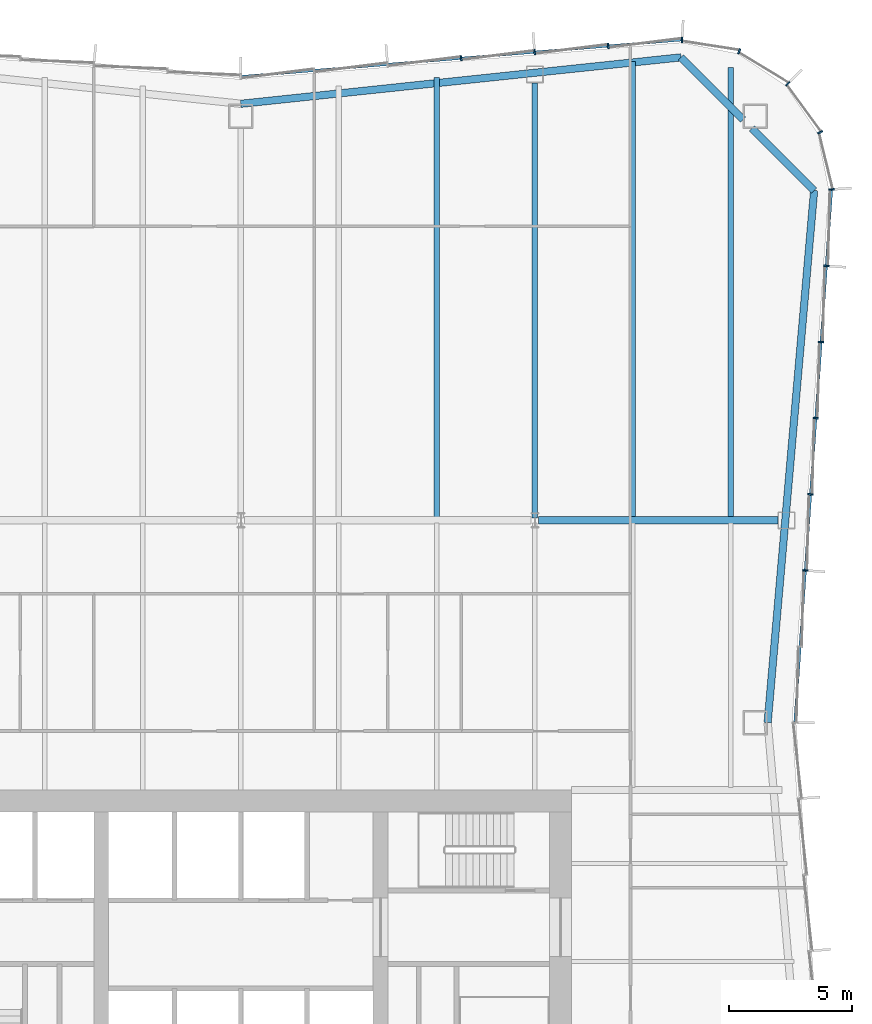
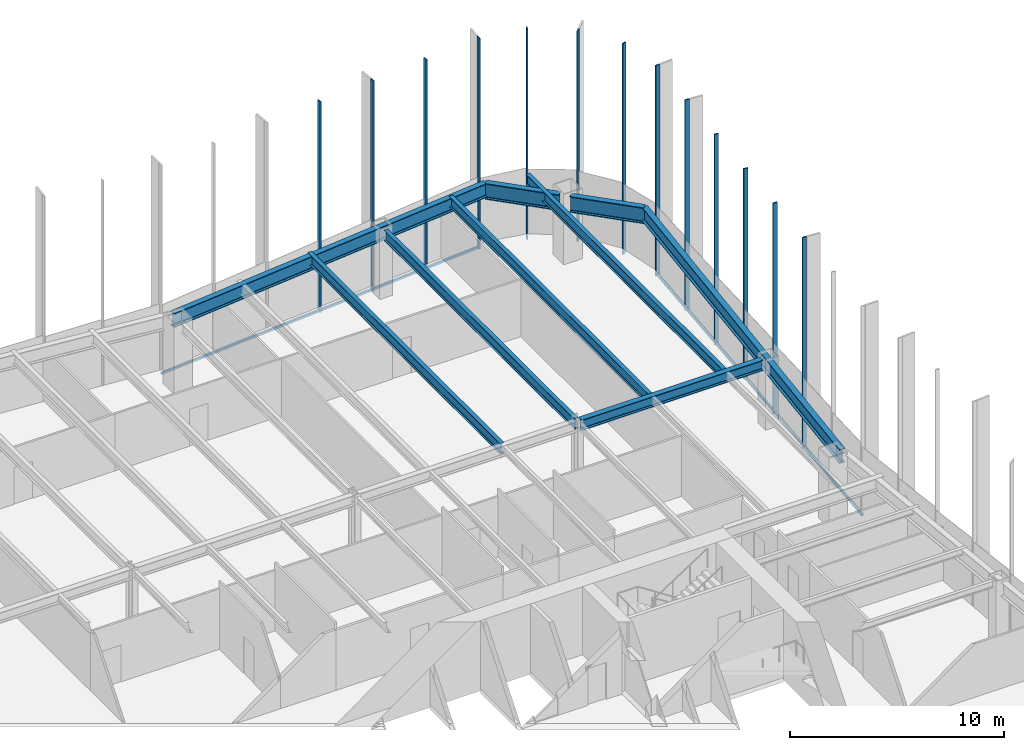
# One storey, part 7 of 13: 15 members, 9 beams, 3 elements without a shape of their own.
"""IFC4 building model written with IfcOpenShell, lengths in metres."""

from ifc_helpers import new_model, si_unit, direction, frame, origin, origin_2d, place, context, subcontext, project, spatial, rectangle, i_section, extrude, material, material_profile, profile_set, type_object, element, aggregate, save


model = new_model("IFC4")

# Units and contexts
model_context = context("Model", 3, precision=1e-05, world=origin(), true_north=direction((0.0, 1.0)))
body_context = subcontext(model_context, "Body", "Model", "MODEL_VIEW")
ifc_project = project(units=[si_unit("LENGTHUNIT", "METRE"), si_unit("AREAUNIT", "SQUARE_METRE"), si_unit("VOLUMEUNIT", "CUBIC_METRE"), si_unit("PLANEANGLEUNIT", "RADIAN"), si_unit("MASSUNIT", "GRAM", prefix="KILO")], contexts=[model_context])

# Site, building, storey
site_placement = place(None, origin())
site = spatial("IfcSite", under=ifc_project, at=site_placement, CompositionType="ELEMENT")
building_placement = place(site_placement, origin())
building = spatial("IfcBuilding", under=site, at=building_placement, Name="Verdant Reach Tower", CompositionType="ELEMENT")
storey_placement = place(building_placement, frame((0.0, 0.0, 182.0)))
storey = spatial("IfcBuildingStorey", under=building, at=storey_placement, Name="L41", CompositionType="ELEMENT", Elevation=182.0)

# Curtain wall, members
ifc_material_1 = material(Name="Anodised aluminium", Category="aluminium")
curtain_wall_type = type_object("IfcCurtainWallType", Name="EN-CW SYSTEM Z3", PredefinedType="NOTDEFINED", material=ifc_material_1)
curtain_wall_1_placement = place(storey_placement, origin())
curtain_wall_1 = element("IfcCurtainWall", 1, at=curtain_wall_1_placement, inside=storey, type_object=curtain_wall_type, Name="Curtain wall east, L41", PredefinedType="NOTDEFINED")
ifc_material_profile_1 = material_profile(ifc_material_1, rectangle(XDim=0.218017578125, YDim=0.06591796875, at=origin_2d()), Name="Mullion 66x218")
ifc_profile_set_1 = profile_set([ifc_material_profile_1], Name="Anodised aluminium")
member_type_1 = type_object("IfcMemberType", Name="EN-MULLION Z3", PredefinedType="MULLION", material=ifc_profile_set_1)
member_1_placement = place(storey_placement, frame((23.037353515625, 47.456787109375, -0.35009765625), z_axis=(0.0, 0.0, 1.0), x_axis=(0.997630328423, -0.068802091615, 0.0)))
member_1 = element("IfcMember", 2, at=member_1_placement, type_object=member_type_1, Name="Mullion east face part 2 3, L41", PredefinedType="MULLION", context=body_context, shape_type="SweptSolid", body=[
    extrude(rectangle(XDim=0.218017578125, YDim=0.06591796875, at=origin_2d()), origin(), (0.0, 0.0, 1.0), 12.0),
])
member_2_placement = place(storey_placement, frame((23.251708984375, 50.56396484375, -0.35009765625), z_axis=(0.0, 0.0, 1.0), x_axis=(0.997630328423, -0.068802091615, 0.0)))
member_2 = element("IfcMember", 3, at=member_2_placement, type_object=member_type_1, Name="Mullion east face part 2 4, L41", PredefinedType="MULLION", context=body_context, shape_type="SweptSolid", body=[
    extrude(rectangle(XDim=0.218017578125, YDim=0.06591796875, at=origin_2d()), origin(), (0.0, 0.0, 1.0), 12.0),
])
member_3_placement = place(storey_placement, frame((23.4658203125, 53.671142578125, -0.35009765625), z_axis=(0.0, 0.0, 1.0), x_axis=(0.997630328423, -0.068802091615, 0.0)))
member_3 = element("IfcMember", 4, at=member_3_placement, type_object=member_type_1, Name="Mullion east face part 2 5, L41", PredefinedType="MULLION", context=body_context, shape_type="SweptSolid", body=[
    extrude(rectangle(XDim=0.218017578125, YDim=0.06591796875, at=origin_2d()), origin(), (0.0, 0.0, 1.0), 12.0),
])
member_4_placement = place(storey_placement, frame((23.68017578125, 56.7783203125, -0.35009765625), z_axis=(0.0, 0.0, 1.0), x_axis=(0.997630328423, -0.068802091615, 0.0)))
member_4 = element("IfcMember", 5, at=member_4_placement, type_object=member_type_1, Name="Mullion east face part 2 6, L41", PredefinedType="MULLION", context=body_context, shape_type="SweptSolid", body=[
    extrude(rectangle(XDim=0.218017578125, YDim=0.06591796875, at=origin_2d()), origin(), (0.0, 0.0, 1.0), 12.0),
])
member_5_placement = place(storey_placement, frame((23.89453125, 59.88525390625, -0.35009765625), z_axis=(0.0, 0.0, 1.0), x_axis=(0.997630328423, -0.068802091615, 0.0)))
member_5 = element("IfcMember", 6, at=member_5_placement, type_object=member_type_1, Name="Mullion east face part 2 7, L41", PredefinedType="MULLION", context=body_context, shape_type="SweptSolid", body=[
    extrude(rectangle(XDim=0.218017578125, YDim=0.06591796875, at=origin_2d()), origin(), (0.0, 0.0, 1.0), 12.0),
])

curtain_wall_2_placement = place(storey_placement, origin())
curtain_wall_2 = element("IfcCurtainWall", 7, at=curtain_wall_2_placement, inside=storey, type_object=curtain_wall_type, Name="Curtain wall north-east corner, L41", PredefinedType="NOTDEFINED")
member_6_placement = place(storey_placement, frame((24.10888671875, 63.0068359375, -0.35009765625), z_axis=(0.0, 0.0, 1.0), x_axis=(0.997969180898, 0.063698618332, 0.0)))
member_6 = element("IfcMember", 8, at=member_6_placement, type_object=member_type_1, Name="Mullion north-east corner 1, L41", PredefinedType="MULLION", context=body_context, shape_type="SweptSolid", body=[
    extrude(rectangle(XDim=0.218017578125, YDim=0.06591796875, at=origin_2d()), origin(), (0.0, 0.0, 1.0), 12.0),
])
member_7_placement = place(storey_placement, frame((23.64404296875, 65.337890625, -0.35009765625), z_axis=(0.0, 0.0, 1.0), x_axis=(0.923875215753, 0.382693853776, 0.0)))
member_7 = element("IfcMember", 9, at=member_7_placement, type_object=member_type_1, Name="Mullion north-east corner 2, L41", PredefinedType="MULLION", context=body_context, shape_type="SweptSolid", body=[
    extrude(rectangle(XDim=0.218017578125, YDim=0.06591796875, at=origin_2d()), origin(), (0.0, 0.0, 1.0), 12.0),
])
member_8_placement = place(storey_placement, frame((22.319580078125, 67.319580078125, -0.35009765625), z_axis=(0.0, 0.0, 1.0), x_axis=(0.707106781187, 0.707106781187, 0.0)))
member_8 = element("IfcMember", 10, at=member_8_placement, type_object=member_type_1, Name="Mullion north-east corner 3, L41", PredefinedType="MULLION", context=body_context, shape_type="SweptSolid", body=[
    extrude(rectangle(XDim=0.218017578125, YDim=0.06591796875, at=origin_2d()), origin(), (0.0, 0.0, 1.0), 12.0),
])
member_9_placement = place(storey_placement, frame((20.337890625, 68.64404296875, -0.35009765625), z_axis=(0.0, 0.0, 1.0), x_axis=(0.382693853776, 0.923875215753, 0.0)))
member_9 = element("IfcMember", 11, at=member_9_placement, type_object=member_type_1, Name="Mullion north-east corner 4, L41", PredefinedType="MULLION", context=body_context, shape_type="SweptSolid", body=[
    extrude(rectangle(XDim=0.218017578125, YDim=0.06591796875, at=origin_2d()), origin(), (0.0, 0.0, 1.0), 12.0),
])
aggregate(curtain_wall_2, [member_6, member_7, member_8, member_9])

curtain_wall_3_placement = place(storey_placement, origin())
curtain_wall_3 = element("IfcCurtainWall", 12, at=curtain_wall_3_placement, inside=storey, type_object=curtain_wall_type, Name="Curtain wall north, L41", PredefinedType="NOTDEFINED")
member_10_placement = place(storey_placement, frame((18.006103515625, 69.10888671875, -0.35009765625), z_axis=(0.0, 0.0, 1.0), x_axis=(0.056569187765, 0.998398681387, 0.0)))
member_10 = element("IfcMember", 13, at=member_10_placement, type_object=member_type_1, Name="Mullion north face part 1 1, L41", PredefinedType="MULLION", context=body_context, shape_type="SweptSolid", body=[
    extrude(rectangle(XDim=0.218017578125, YDim=0.06591796875, at=origin_2d()), origin(), (0.0, 0.0, 1.0), 12.0),
])
member_11_placement = place(storey_placement, frame((14.990966796875, 68.858642578125, -0.35009765625), z_axis=(0.0, 0.0, 1.0), x_axis=(-0.083045479859, 0.996545758244, 0.0)))
member_11 = element("IfcMember", 14, at=member_11_placement, type_object=member_type_1, Name="Mullion north face part 1 2, L41", PredefinedType="MULLION", context=body_context, shape_type="SweptSolid", body=[
    extrude(rectangle(XDim=0.218017578125, YDim=0.06591796875, at=origin_2d()), origin(), (0.0, 0.0, 1.0), 12.0),
])
member_12_placement = place(storey_placement, frame((11.990966796875, 68.608642578125, -0.35009765625), z_axis=(0.0, 0.0, 1.0), x_axis=(-0.083045479859, 0.996545758244, 0.0)))
member_12 = element("IfcMember", 15, at=member_12_placement, type_object=member_type_1, Name="Mullion north face part 1 3, L41", PredefinedType="MULLION", context=body_context, shape_type="SweptSolid", body=[
    extrude(rectangle(XDim=0.218017578125, YDim=0.06591796875, at=origin_2d()), origin(), (0.0, 0.0, 1.0), 12.0),
])
member_13_placement = place(storey_placement, frame((8.990966796875, 68.358642578125, -0.35009765625), z_axis=(0.0, 0.0, 1.0), x_axis=(-0.083045479859, 0.996545758244, 0.0)))
member_13 = element("IfcMember", 16, at=member_13_placement, type_object=member_type_1, Name="Mullion north face part 1 4, L41", PredefinedType="MULLION", context=body_context, shape_type="SweptSolid", body=[
    extrude(rectangle(XDim=0.218017578125, YDim=0.06591796875, at=origin_2d()), origin(), (0.0, 0.0, 1.0), 12.0),
])

# Member
ifc_material_profile_2 = material_profile(ifc_material_1, rectangle(XDim=0.10009765625, YDim=0.1259765625, at=origin_2d()), Name="Transom 126x100")
ifc_profile_set_2 = profile_set([ifc_material_profile_2], Name="Anodised aluminium")
member_type_2 = type_object("IfcMemberType", Name="EN-TRANSOM Z3", PredefinedType="USERDEFINED", material=ifc_profile_set_2)
member_14_placement = place(storey_placement, frame((22.611328125, 41.282958984375, -0.287109375), z_axis=(0.068764326054, 0.997632932226, 0.0), x_axis=(-0.997632932226, 0.068764326054, 0.0)))
member_14 = element("IfcMember", 17, at=member_14_placement, type_object=member_type_2, Name="Transom east face part 2 1.1, L41", ObjectType="TRANSOM", PredefinedType="USERDEFINED", context=body_context, shape_type="SweptSolid", body=[
    extrude(rectangle(XDim=0.10009765625, YDim=0.1259765625, at=origin_2d()), origin(), (0.0, 0.0, 1.0), 21.74267578125),
])

aggregate(curtain_wall_1, [member_1, member_2, member_3, member_4, member_5, member_14])

member_15_placement = place(storey_placement, frame((17.973388671875, 69.106201171875, -0.287109375), z_axis=(-0.996548750467, -0.083009565369, 0.0), x_axis=(0.083009565369, -0.996548750467, 0.0)))
member_15 = element("IfcMember", 18, at=member_15_placement, type_object=member_type_2, Name="Transom north face part 1 1.1, L41", ObjectType="TRANSOM", PredefinedType="USERDEFINED", context=body_context, shape_type="SweptSolid", body=[
    extrude(rectangle(XDim=0.10009765625, YDim=0.1259765625, at=origin_2d()), origin(), (0.0, 0.0, 1.0), 18.00244140625),
])

aggregate(curtain_wall_3, [member_10, member_11, member_12, member_13, member_15])

# Beams
ifc_material_2 = material(Name="Steel S355", Category="steel")
ifc_material_profile_3 = material_profile(ifc_material_2, i_section(OverallWidth=0.300048828125, OverallDepth=0.60009765625, WebThickness=0.015380859375, FlangeThickness=0.030029296875, FilletRadius=0.027099609375, at=origin_2d()), Name="HEB 600")
ifc_profile_set_3 = profile_set([ifc_material_profile_3], Name="Steel S355")
beam_type_1 = type_object("IfcBeamType", Name="ST-BEAM-HEB600", PredefinedType="BEAM", material=ifc_profile_set_3)
beam_1_placement = place(storey_placement, frame((12.152587890625, 49.5, 3.570068359375), z_axis=(1.0, 0.0, 0.0), x_axis=(0.0, 1.0, 0.0)))
element("IfcBeam", 19, at=beam_1_placement, inside=storey, type_object=beam_type_1, Name="Row girder, L41", PredefinedType="BEAM", context=body_context, shape_type="SweptSolid", body=[
    extrude(i_section(OverallWidth=0.300048828125, OverallDepth=0.60009765625, WebThickness=0.015380859375, FlangeThickness=0.030029296875, FilletRadius=0.027099609375, at=origin_2d()), origin(), (0.0, 0.0, 1.0), 9.766357421875),
])
ifc_material_profile_4 = material_profile(ifc_material_2, i_section(OverallWidth=0.219970703125, OverallDepth=0.60009765625, WebThickness=0.011962890625, FlangeThickness=0.01904296875, FilletRadius=0.02392578125, at=origin_2d()), Name="IPE 600")
ifc_profile_set_4 = profile_set([ifc_material_profile_4], Name="Steel S355")
beam_type_2 = type_object("IfcBeamType", Name="ST-JOIST-IPE600", PredefinedType="JOIST", material=ifc_profile_set_4)
beam_2_placement = place(storey_placement, frame((8.0, 49.60009765625, 3.570068359375), z_axis=(0.0, 1.0, 0.0), x_axis=(-1.0, 0.0, 0.0)))
element("IfcBeam", 20, at=beam_2_placement, inside=storey, type_object=beam_type_2, Name="Floor joist, L41", PredefinedType="JOIST", context=body_context, shape_type="SweptSolid", body=[
    extrude(i_section(OverallWidth=0.219970703125, OverallDepth=0.60009765625, WebThickness=0.011962890625, FlangeThickness=0.01904296875, FilletRadius=0.02392578125, at=origin_2d()), origin(), (0.0, 0.0, 1.0), 17.964599609375),
])
beam_3_placement = place(storey_placement, frame((12.0, 49.60009765625, 3.570068359375), z_axis=(0.0, 1.0, 0.0), x_axis=(-1.0, 0.0, 0.0)))
element("IfcBeam", 21, at=beam_3_placement, inside=storey, type_object=beam_type_2, Name="Floor joist, L41", PredefinedType="JOIST", context=body_context, shape_type="SweptSolid", body=[
    extrude(i_section(OverallWidth=0.219970703125, OverallDepth=0.60009765625, WebThickness=0.011962890625, FlangeThickness=0.01904296875, FilletRadius=0.02392578125, at=origin_2d()), origin(), (0.0, 0.0, 1.0), 17.75),
])
beam_4_placement = place(storey_placement, frame((16.0, 49.60009765625, 3.570068359375), z_axis=(0.0, 1.0, 0.0), x_axis=(-1.0, 0.0, 0.0)))
element("IfcBeam", 22, at=beam_4_placement, inside=storey, type_object=beam_type_2, Name="Floor joist, L41", PredefinedType="JOIST", context=body_context, shape_type="SweptSolid", body=[
    extrude(i_section(OverallWidth=0.219970703125, OverallDepth=0.60009765625, WebThickness=0.011962890625, FlangeThickness=0.01904296875, FilletRadius=0.02392578125, at=origin_2d()), origin(), (0.0, 0.0, 1.0), 18.631103515625),
])
beam_5_placement = place(storey_placement, frame((20.0, 49.60009765625, 3.570068359375), z_axis=(0.0, 1.0, 0.0), x_axis=(-1.0, 0.0, 0.0)))
element("IfcBeam", 23, at=beam_5_placement, inside=storey, type_object=beam_type_2, Name="Floor joist, L41", PredefinedType="JOIST", context=body_context, shape_type="SweptSolid", body=[
    extrude(i_section(OverallWidth=0.219970703125, OverallDepth=0.60009765625, WebThickness=0.011962890625, FlangeThickness=0.01904296875, FilletRadius=0.02392578125, at=origin_2d()), origin(), (0.0, 0.0, 1.0), 18.390380859375),
])
ifc_material_profile_5 = material_profile(ifc_material_2, i_section(OverallWidth=0.300048828125, OverallDepth=0.800048828125, WebThickness=0.017578125, FlangeThickness=0.032958984375, FilletRadius=0.030029296875, at=origin_2d()), Name="HEB 800")
ifc_profile_set_5 = profile_set([ifc_material_profile_5], Name="Steel S355")
beam_type_3 = type_object("IfcBeamType", Name="ST-SPANDREL-HEB800", PredefinedType="SPANDREL", material=ifc_profile_set_5)
beam_6_placement = place(storey_placement, frame((0.0, 66.5, 3.469970703125), z_axis=(0.994483067002, 0.104897232783, 0.0), x_axis=(-0.104897232783, 0.994483067002, 0.0)))
element("IfcBeam", 24, at=beam_6_placement, inside=storey, type_object=beam_type_3, Name="Edge beam, L41", PredefinedType="SPANDREL", context=body_context, shape_type="SweptSolid", body=[
    extrude(i_section(OverallWidth=0.300048828125, OverallDepth=0.800048828125, WebThickness=0.017578125, FlangeThickness=0.032958984375, FilletRadius=0.030029296875, at=origin_2d()), origin(), (0.0, 0.0, 1.0), 18.0654296875),
])
beam_7_placement = place(storey_placement, frame((23.39599609375, 62.96142578125, 3.469970703125), z_axis=(-0.086996024331, -0.996208658741, 0.0), x_axis=(0.996208658741, -0.086996024331, 0.0)))
element("IfcBeam", 25, at=beam_7_placement, inside=storey, type_object=beam_type_3, Name="Edge beam, L41", PredefinedType="SPANDREL", context=body_context, shape_type="SweptSolid", body=[
    extrude(i_section(OverallWidth=0.300048828125, OverallDepth=0.800048828125, WebThickness=0.017578125, FlangeThickness=0.032958984375, FilletRadius=0.030029296875, at=origin_2d()), origin(), (0.0, 0.0, 1.0), 21.7939453125),
])
ifc_material_profile_6 = material_profile(ifc_material_2, i_section(OverallWidth=0.302001953125, OverallDepth=0.909912109375, WebThickness=0.02099609375, FlangeThickness=0.0400390625, FilletRadius=0.030029296875, at=origin_2d()), Name="HEM 900")
ifc_profile_set_6 = profile_set([ifc_material_profile_6], Name="Steel S355")
beam_type_4 = type_object("IfcBeamType", Name="ST-SPANDREL-HEM900", PredefinedType="SPANDREL", material=ifc_profile_set_6)
beam_8_placement = place(storey_placement, frame((17.9658203125, 68.39501953125, 3.4150390625), z_axis=(0.706868394255, -0.707345087777, 0.0), x_axis=(0.707345087777, 0.706868394255, 0.0)))
element("IfcBeam", 26, at=beam_8_placement, inside=storey, type_object=beam_type_4, Name="Edge beam, L41", PredefinedType="SPANDREL", context=body_context, shape_type="SweptSolid", body=[
    extrude(i_section(OverallWidth=0.302001953125, OverallDepth=0.909912109375, WebThickness=0.02099609375, FlangeThickness=0.0400390625, FilletRadius=0.030029296875, at=origin_2d()), origin(), (0.0, 0.0, 1.0), 3.5849609375),
])
beam_9_placement = place(storey_placement, frame((20.85888671875, 65.5, 3.4150390625), z_axis=(0.706902680526, -0.707310822952, 0.0), x_axis=(0.707310822952, 0.706902680526, 0.0)))
element("IfcBeam", 27, at=beam_9_placement, inside=storey, type_object=beam_type_4, Name="Edge beam, L41", PredefinedType="SPANDREL", context=body_context, shape_type="SweptSolid", body=[
    extrude(i_section(OverallWidth=0.302001953125, OverallDepth=0.909912109375, WebThickness=0.02099609375, FlangeThickness=0.0400390625, FilletRadius=0.030029296875, at=origin_2d()), origin(), (0.0, 0.0, 1.0), 3.589111328125),
])

save(model, "model.ifc")
